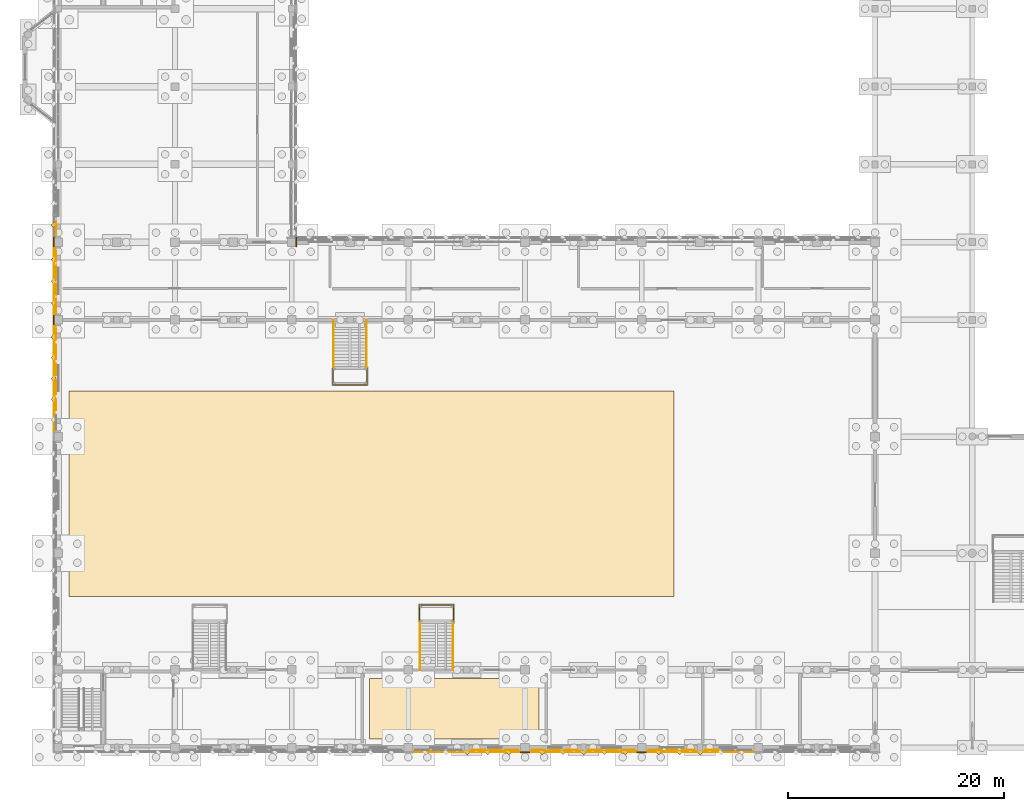
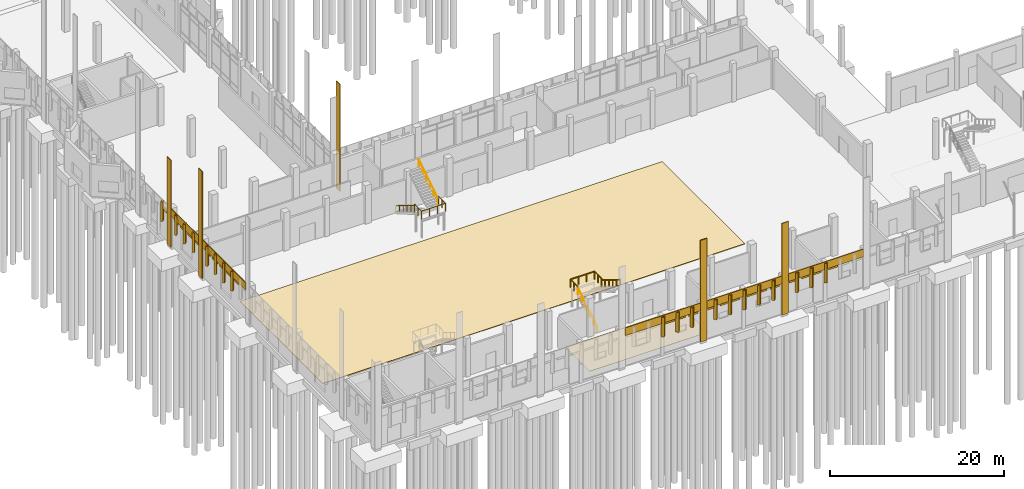
# One storey, part 95 of 109: 54 coverings, 6 railings.
"""IFC4 building model written with IfcOpenShell, lengths in metres."""

from ifc_helpers import new_model, si_unit, direction, frame, origin, origin_2d, place, context, subcontext, project, spatial, polyline, rectangle, circle, outline, extrude, material, layer, layer_set, type_object, element, save


model = new_model("IFC4")

# Units and contexts
model_context = context("Model", 3, precision=1e-05, world=origin(), true_north=direction((0.0, 1.0)))
body_context = subcontext(model_context, "Body", "Model", "MODEL_VIEW")
ifc_project = project(units=[si_unit("LENGTHUNIT", "METRE"), si_unit("AREAUNIT", "SQUARE_METRE"), si_unit("VOLUMEUNIT", "CUBIC_METRE"), si_unit("PLANEANGLEUNIT", "RADIAN"), si_unit("MASSUNIT", "GRAM", prefix="KILO")], contexts=[model_context])

# Site, building, storey
site_placement = place(None, origin())
site = spatial("IfcSite", under=ifc_project, at=site_placement, CompositionType="ELEMENT")
building_placement = place(site_placement, origin())
building = spatial("IfcBuilding", under=site, at=building_placement, Name="Lusvemor Sports Hall", CompositionType="ELEMENT")
storey_placement = place(building_placement, origin())
storey = spatial("IfcBuildingStorey", under=building, at=storey_placement, Name="L00", CompositionType="ELEMENT", Elevation=0.0)

# Coverings
ifc_material_1 = material(Name="Precast granite-faced Concrete C40/50 architectural cladding", Category="masonry")
ifc_layer_1 = layer(ifc_material_1, 0.055908203125)
ifc_layer_set_1 = layer_set([ifc_layer_1], Name="Precast granite-faced Concrete C40/50 architectural cladding")
covering_type_1 = type_object("IfcCoveringType", Name="CLAD_RELIEF_FRIEZE", PredefinedType="CLADDING", material=ifc_layer_set_1)
covering_1_placement = place(storey_placement, frame((43.199951171875, -0.409912109375, 0.0), z_axis=(0.0, 0.0, 1.0), x_axis=(1.0, 0.0, 0.0)))
element("IfcCovering", 1, at=covering_1_placement, inside=storey, type_object=covering_type_1, Name="Art Nouveau Pilaster Cladding Casing 5", PredefinedType="CLADDING", context=body_context, shape_type="SweptSolid", body=[
    extrude(rectangle(XDim=0.8798828125, YDim=0.10009765625, at=origin_2d()), origin(), (0.0, 0.0, 1.0), 14.24951171875),
])
covering_2_placement = place(storey_placement, frame((54.0, -0.409912109375, 0.0), z_axis=(0.0, 0.0, 1.0), x_axis=(1.0, 0.0, 0.0)))
element("IfcCovering", 2, at=covering_2_placement, inside=storey, type_object=covering_type_1, Name="Art Nouveau Pilaster Cladding Casing 6", PredefinedType="CLADDING", context=body_context, shape_type="SweptSolid", body=[
    extrude(rectangle(XDim=0.8798828125, YDim=0.10009765625, at=origin_2d()), origin(), (0.0, 0.0, 1.0), 12.844970703125),
])
covering_3_placement = place(storey_placement, frame((-0.409912109375, 39.60009765625, 0.0), z_axis=(0.0, 0.0, 1.0), x_axis=(1.0, 0.0, 0.0)))
element("IfcCovering", 3, at=covering_3_placement, inside=storey, type_object=covering_type_1, Name="Art Nouveau Pilaster Cladding Casing 899", PredefinedType="CLADDING", context=body_context, shape_type="SweptSolid", body=[
    extrude(rectangle(XDim=0.10009765625, YDim=0.8798828125, at=origin_2d()), origin(), (0.0, 0.0, 1.0), 15.0),
])
covering_4_placement = place(storey_placement, frame((-0.409912109375, 46.800048828125, 0.0), z_axis=(0.0, 0.0, 1.0), x_axis=(1.0, 0.0, 0.0)))
element("IfcCovering", 4, at=covering_4_placement, inside=storey, type_object=covering_type_1, Name="Art Nouveau Pilaster Cladding Casing 900", PredefinedType="CLADDING", context=body_context, shape_type="SweptSolid", body=[
    extrude(rectangle(XDim=0.10009765625, YDim=0.8798828125, at=origin_2d()), origin(), (0.0, 0.0, 1.0), 12.219970703125),
])
covering_5_placement = place(storey_placement, frame((22.010009765625, 46.800048828125, 0.0), z_axis=(0.0, 0.0, 1.0), x_axis=(1.0, 0.0, 0.0)))
element("IfcCovering", 5, at=covering_5_placement, inside=storey, type_object=covering_type_1, Name="Art Nouveau Pilaster Cladding Casing 1379", PredefinedType="CLADDING", context=body_context, shape_type="SweptSolid", body=[
    extrude(rectangle(XDim=0.10009765625, YDim=0.8798828125, at=origin_2d()), origin(), (0.0, 0.0, 1.0), 15.0),
])
ifc_material_2 = material(Name="Emerald polychrome glazed ceramic cladding on Concrete C40/50 backing", Category="concrete")
ifc_layer_2 = layer(ifc_material_2, 0.0458984375)
ifc_layer_set_2 = layer_set([ifc_layer_2], Name="Emerald polychrome glazed ceramic cladding on Concrete C40/50 backing")
covering_type_2 = type_object("IfcCoveringType", Name="CLAD_WAVE_EMERALD", PredefinedType="CLADDING", material=ifc_layer_set_2)
for number, where, z_axis, x_axis, name in (
    (6, (38.889892578125, -0.218017578125, 3.97998046875), (0.0, 0.0, 1.0), (1.0, 0.0, 0.0), "Art Nouveau Patterned Cladding PS-V1S0-3-2-1"),
    (7, (41.929931640625, -0.218017578125, 3.97998046875), (0.0, 0.0, 1.0), (1.0, 0.0, 0.0), "Art Nouveau Patterned Cladding PS-V1S0-3-2-3"),
    (8, (44.469970703125, -0.218017578125, 3.97998046875), (0.0, 0.0, 1.0), (1.0, 0.0, 0.0), "Art Nouveau Patterned Cladding PS-V1S0-4-1-1"),
    (9, (47.510009765625, -0.218017578125, 3.97998046875), (0.0, 0.0, 1.0), (1.0, 0.0, 0.0), "Art Nouveau Patterned Cladding PS-V1S0-4-1-3"),
    (10, (49.68994140625, -0.218017578125, 3.97998046875), (0.0, 0.0, 1.0), (1.0, 0.0, 0.0), "Art Nouveau Patterned Cladding PS-V1S0-4-2-1"),
    (11, (52.72998046875, -0.218017578125, 3.97998046875), (0.0, 0.0, 1.0), (1.0, 0.0, 0.0), "Art Nouveau Patterned Cladding PS-V1S0-4-2-3"),
    (12, (55.27001953125, -0.218017578125, 3.97998046875), (0.0, 0.0, 1.0), (1.0, 0.0, 0.0), "Art Nouveau Patterned Cladding PS-V1S0-5-1-1"),
    (13, (58.31005859375, -0.218017578125, 3.97998046875), (0.0, 0.0, 1.0), (1.0, 0.0, 0.0), "Art Nouveau Patterned Cladding PS-V1S0-5-1-3"),
    (14, (60.489990234375, -0.218017578125, 3.97998046875), (0.0, 0.0, 1.0), (1.0, 0.0, 0.0), "Art Nouveau Patterned Cladding PS-V1S0-5-2-1"),
):
    element("IfcCovering", number, at=place(storey_placement, frame(where, z_axis=z_axis, x_axis=x_axis)), inside=storey, type_object=covering_type_2, Name=name, PredefinedType="CLADDING", context=body_context, shape_type="SweptSolid", body=[
        extrude(rectangle(XDim=1.246337890625, YDim=0.0458984375, at=origin_2d()), origin(), (0.0, 0.0, 1.0), 0.64990234375),
    ])
for number, where, z_axis, x_axis, name in (
    (15, (-0.218017578125, 33.385009765625, 3.830078125), (0.0, 0.0, 1.0), (1.0, 0.0, 0.0), "Art Nouveau Patterned Cladding PS-V1W0-4-3"),
    (16, (-0.218017578125, 36.64501953125, 3.830078125), (0.0, 0.0, 1.0), (1.0, 0.0, 0.0), "Art Nouveau Patterned Cladding PS-V1W0-4-5"),
):
    element("IfcCovering", number, at=place(storey_placement, frame(where, z_axis=z_axis, x_axis=x_axis)), inside=storey, type_object=covering_type_2, Name=name, PredefinedType="CLADDING", context=body_context, shape_type="SweptSolid", body=[
        extrude(rectangle(XDim=0.0458984375, YDim=1.336669921875, at=origin_2d()), origin(), (0.0, 0.0, 1.0), 0.840087890625),
    ])
for number, where, z_axis, x_axis, name in (
    (17, (-0.218017578125, 40.882568359375, 3.830078125), (0.0, 0.0, 1.0), (1.0, 0.0, 0.0), "Art Nouveau Patterned Cladding PS-V1W0-5-1"),
    (18, (-0.218017578125, 43.972412109375, 3.830078125), (0.0, 0.0, 1.0), (1.0, 0.0, 0.0), "Art Nouveau Patterned Cladding PS-V1W0-5-3"),
):
    element("IfcCovering", number, at=place(storey_placement, frame(where, z_axis=z_axis, x_axis=x_axis)), inside=storey, type_object=covering_type_2, Name=name, PredefinedType="CLADDING", context=body_context, shape_type="SweptSolid", body=[
        extrude(rectangle(XDim=0.0458984375, YDim=1.266845703125, at=origin_2d()), origin(), (0.0, 0.0, 1.0), 0.840087890625),
    ])
covering_6_placement = place(storey_placement, frame((-0.218017578125, 48.074951171875, 3.9248046875), z_axis=(0.0, 0.0, 1.0), x_axis=(1.0, 0.0, 0.0)))
element("IfcCovering", 19, at=covering_6_placement, inside=storey, type_object=covering_type_2, Name="Art Nouveau Patterned Cladding PS-EW-L00-W-0-0-1", PredefinedType="CLADDING", context=body_context, shape_type="SweptSolid", body=[
    extrude(rectangle(XDim=0.0458984375, YDim=1.27099609375, at=origin_2d()), origin(), (0.0, 0.0, 1.0), 0.510009765625),
])
for number, where, z_axis, x_axis, name in (
    (20, (39.719970703125, -0.43994140625, 2.550048828125), (0.0, 0.0, 1.0), (0.707106781187, 0.707106781187, 0.0), "Patterned Diamond Cladding Rib 67"),
    (21, (46.679931640625, -0.43994140625, 2.550048828125), (0.0, 0.0, 1.0), (0.707106781187, 0.707106781187, 0.0), "Patterned Diamond Cladding Rib 83"),
    (22, (50.52001953125, -0.43994140625, 2.550048828125), (0.0, 0.0, 1.0), (0.707106781187, 0.707106781187, 0.0), "Patterned Diamond Cladding Rib 85"),
    (23, (57.47998046875, -0.43994140625, 2.550048828125), (0.0, 0.0, 1.0), (0.707106781187, 0.707106781187, 0.0), "Patterned Diamond Cladding Rib 101"),
):
    element("IfcCovering", number, at=place(storey_placement, frame(where, z_axis=z_axis, x_axis=x_axis)), inside=storey, type_object=covering_type_2, Name=name, PredefinedType="CLADDING", context=body_context, shape_type="SweptSolid", body=[
        extrude(rectangle(XDim=0.280029296875, YDim=0.3798828125, at=origin_2d()), origin(), (0.0, 0.0, 1.0), 2.75),
    ])
for number, where, z_axis, x_axis, name in (
    (24, (-0.43994140625, 32.280029296875, 2.550048828125), (0.0, 0.0, 1.0), (0.707106781187, 0.707106781187, 0.0), "Patterned Diamond Cladding Rib 951"),
    (25, (-0.43994140625, 36.1201171875, 2.550048828125), (0.0, 0.0, 1.0), (0.707106781187, 0.707106781187, 0.0), "Patterned Diamond Cladding Rib 953"),
    (26, (-0.43994140625, 43.199951171875, 2.550048828125), (0.0, 0.0, 1.0), (0.707106781187, 0.707106781187, 0.0), "Patterned Diamond Cladding Rib 969"),
):
    element("IfcCovering", number, at=place(storey_placement, frame(where, z_axis=z_axis, x_axis=x_axis)), inside=storey, type_object=covering_type_2, Name=name, PredefinedType="CLADDING", context=body_context, shape_type="SweptSolid", body=[
        extrude(rectangle(XDim=0.3798828125, YDim=0.280029296875, at=origin_2d()), origin(), (0.0, 0.0, 1.0), 2.75),
    ])
ifc_material_3 = material(Name="Warm terracotta Art Nouveau ceramic cladding on Concrete C40/50 backing", Category="masonry")
ifc_layer_3 = layer(ifc_material_3, 0.0380859375)
ifc_layer_set_3 = layer_set([ifc_layer_3], Name="Warm terracotta Art Nouveau ceramic cladding on Concrete C40/50 backing")
covering_type_3 = type_object("IfcCoveringType", Name="CLAD_WAVE_OCHRE", PredefinedType="CLADDING", material=ifc_layer_set_3)
for number, where, z_axis, x_axis, name in (
    (27, (40.409912109375, -0.214111328125, 3.97998046875), (0.0, 0.0, 1.0), (1.0, 0.0, 0.0), "Art Nouveau Patterned Cladding PS-V1S0-3-2-2"),
    (28, (45.989990234375, -0.214111328125, 3.97998046875), (0.0, 0.0, 1.0), (1.0, 0.0, 0.0), "Art Nouveau Patterned Cladding PS-V1S0-4-1-2"),
    (29, (51.2099609375, -0.214111328125, 3.97998046875), (0.0, 0.0, 1.0), (1.0, 0.0, 0.0), "Art Nouveau Patterned Cladding PS-V1S0-4-2-2"),
    (30, (56.7900390625, -0.214111328125, 3.97998046875), (0.0, 0.0, 1.0), (1.0, 0.0, 0.0), "Art Nouveau Patterned Cladding PS-V1S0-5-1-2"),
):
    element("IfcCovering", number, at=place(storey_placement, frame(where, z_axis=z_axis, x_axis=x_axis)), inside=storey, type_object=covering_type_3, Name=name, PredefinedType="CLADDING", context=body_context, shape_type="SweptSolid", body=[
        extrude(rectangle(XDim=0.972900390625, YDim=0.0380859375, at=origin_2d()), origin(), (0.0, 0.0, 1.0), 0.64990234375),
    ])
for number, where, z_axis, x_axis, name in (
    (31, (-0.214111328125, 31.7548828125, 3.830078125), (0.0, 0.0, 1.0), (1.0, 0.0, 0.0), "Art Nouveau Patterned Cladding PS-V1W0-4-2"),
    (32, (-0.214111328125, 35.014892578125, 3.830078125), (0.0, 0.0, 1.0), (1.0, 0.0, 0.0), "Art Nouveau Patterned Cladding PS-V1W0-4-4"),
    (33, (-0.214111328125, 38.27490234375, 3.830078125), (0.0, 0.0, 1.0), (1.0, 0.0, 0.0), "Art Nouveau Patterned Cladding PS-V1W0-4-6"),
):
    element("IfcCovering", number, at=place(storey_placement, frame(where, z_axis=z_axis, x_axis=x_axis)), inside=storey, type_object=covering_type_3, Name=name, PredefinedType="CLADDING", context=body_context, shape_type="SweptSolid", body=[
        extrude(rectangle(XDim=0.0380859375, YDim=1.043212890625, at=origin_2d()), origin(), (0.0, 0.0, 1.0), 0.840087890625),
    ])
for number, where, z_axis, x_axis, name in (
    (34, (-0.214111328125, 42.427490234375, 3.830078125), (0.0, 0.0, 1.0), (1.0, 0.0, 0.0), "Art Nouveau Patterned Cladding PS-V1W0-5-2"),
    (35, (-0.214111328125, 45.517578125, 3.830078125), (0.0, 0.0, 1.0), (1.0, 0.0, 0.0), "Art Nouveau Patterned Cladding PS-V1W0-5-4"),
):
    element("IfcCovering", number, at=place(storey_placement, frame(where, z_axis=z_axis, x_axis=x_axis)), inside=storey, type_object=covering_type_3, Name=name, PredefinedType="CLADDING", context=body_context, shape_type="SweptSolid", body=[
        extrude(rectangle(XDim=0.0380859375, YDim=0.98876953125, at=origin_2d()), origin(), (0.0, 0.0, 1.0), 0.840087890625),
    ])
for number, where, z_axis, x_axis, name in (
    (36, (37.800048828125, -0.389892578125, 4.3798828125), (0.0, 0.0, 1.0), (1.0, 0.0, 0.0), "Art Nouveau Spandrel Cornice 63"),
    (37, (48.60009765625, -0.389892578125, 4.3798828125), (0.0, 0.0, 1.0), (1.0, 0.0, 0.0), "Art Nouveau Spandrel Cornice 81"),
    (38, (59.39990234375, -0.389892578125, 4.3798828125), (0.0, 0.0, 1.0), (1.0, 0.0, 0.0), "Art Nouveau Spandrel Cornice 99"),
):
    element("IfcCovering", number, at=place(storey_placement, frame(where, z_axis=z_axis, x_axis=x_axis)), inside=storey, type_object=covering_type_3, Name=name, PredefinedType="CLADDING", context=body_context, shape_type="SweptSolid", body=[
        extrude(rectangle(XDim=9.97998046875, YDim=0.090087890625, at=origin_2d()), origin(), (0.0, 0.0, 1.0), 1.080078125),
    ])
covering_7_placement = place(storey_placement, frame((-0.389892578125, 34.199951171875, 4.3798828125), z_axis=(0.0, 0.0, 1.0), x_axis=(1.0, 0.0, 0.0)))
element("IfcCovering", 39, at=covering_7_placement, inside=storey, type_object=covering_type_3, Name="Art Nouveau Spandrel Cornice 949", PredefinedType="CLADDING", context=body_context, shape_type="SweptSolid", body=[
    extrude(rectangle(XDim=0.090087890625, YDim=9.97998046875, at=origin_2d()), origin(), (0.0, 0.0, 1.0), 1.080078125),
])
covering_8_placement = place(storey_placement, frame((-0.389892578125, 43.199951171875, 4.3798828125), z_axis=(0.0, 0.0, 1.0), x_axis=(1.0, 0.0, 0.0)))
element("IfcCovering", 40, at=covering_8_placement, inside=storey, type_object=covering_type_3, Name="Art Nouveau Spandrel Cornice 967", PredefinedType="CLADDING", context=body_context, shape_type="SweptSolid", body=[
    extrude(rectangle(XDim=0.090087890625, YDim=6.3798828125, at=origin_2d()), origin(), (0.0, 0.0, 1.0), 1.080078125),
])
ifc_material_4 = material(Name="FIBA-grade sprung maple sports flooring")
ifc_layer_4 = layer(ifc_material_4, 0.06591796875)
ifc_layer_set_4 = layer_set([ifc_layer_4], Name="FIBA-grade sprung maple sports flooring")
covering_type_4 = type_object("IfcCoveringType", Name="COV_SPRUNG_MAPLE", PredefinedType="FLOORING", material=ifc_layer_set_4)
covering_9_placement = place(storey_placement, origin())
element("IfcCovering", 41, at=covering_9_placement, inside=storey, type_object=covering_type_4, Name="Sprung Maple Flooring COV-MAPLE-COURT1", PredefinedType="FLOORING", context=body_context, shape_type="SweptSolid", body=[
    extrude(outline(polyline([(1.0, 14.0), (57.0, 14.0), (57.0, 33.0), (1.0, 33.0), (1.0, 14.0)])), origin(), (0.0, 0.0, 1.0), 0.06591796875),
])
ifc_material_5 = material(Name="Slip-resistant porcelain ceramic tile flooring")
ifc_layer_5 = layer(ifc_material_5, 0.030029296875)
ifc_layer_set_5 = layer_set([ifc_layer_5], Name="Slip-resistant porcelain ceramic tile flooring")
covering_type_5 = type_object("IfcCoveringType", Name="COV_TILE_PORC", PredefinedType="FLOORING", material=ifc_layer_set_5)
covering_10_placement = place(storey_placement, origin())
element("IfcCovering", 42, at=covering_10_placement, inside=storey, type_object=covering_type_5, Name="Porcelain Wet-Area Flooring 2", PredefinedType="FLOORING", context=body_context, shape_type="SweptSolid", body=[
    extrude(outline(polyline([(28.800048828125, 0.800048828125), (44.5, 0.800048828125), (44.5, 6.39990234375), (28.800048828125, 6.39990234375), (28.800048828125, 0.800048828125)])), origin(), (0.0, 0.0, 1.0), 0.030029296875),
])
ifc_material_6 = material(Name="Warm terracotta Art Nouveau ceramic cladding on Concrete C40/50 backing", Category="masonry")
ifc_layer_6 = layer(ifc_material_6, 0.449951171875)
ifc_layer_set_6 = layer_set([ifc_layer_6], Name="Warm terracotta Art Nouveau ceramic cladding on Concrete C40/50 backing")
covering_type_6 = type_object("IfcCoveringType", Name="FIN_BRISE_CER_450", PredefinedType="MOLDING", material=ifc_layer_set_6)
for number, where, z_axis, x_axis, name in (
    (43, (37.800048828125, -0.43994140625, 2.550048828125), (0.0, 0.0, 1.0), (0.707106781187, 0.707106781187, 0.0), "Patterned Diamond Cladding Rib 66"),
    (44, (41.639892578125, -0.43994140625, 2.550048828125), (0.0, 0.0, 1.0), (0.707106781187, 0.707106781187, 0.0), "Patterned Diamond Cladding Rib 68"),
    (45, (44.760009765625, -0.43994140625, 2.550048828125), (0.0, 0.0, 1.0), (0.707106781187, 0.707106781187, 0.0), "Patterned Diamond Cladding Rib 82"),
    (46, (48.60009765625, -0.43994140625, 2.550048828125), (0.0, 0.0, 1.0), (0.707106781187, 0.707106781187, 0.0), "Patterned Diamond Cladding Rib 84"),
    (47, (52.43994140625, -0.43994140625, 2.550048828125), (0.0, 0.0, 1.0), (0.707106781187, 0.707106781187, 0.0), "Patterned Diamond Cladding Rib 86"),
    (48, (55.56005859375, -0.43994140625, 2.550048828125), (0.0, 0.0, 1.0), (0.707106781187, 0.707106781187, 0.0), "Patterned Diamond Cladding Rib 100"),
    (49, (59.39990234375, -0.43994140625, 2.550048828125), (0.0, 0.0, 1.0), (0.707106781187, 0.707106781187, 0.0), "Patterned Diamond Cladding Rib 102"),
):
    element("IfcCovering", number, at=place(storey_placement, frame(where, z_axis=z_axis, x_axis=x_axis)), inside=storey, type_object=covering_type_6, Name=name, PredefinedType="MOLDING", context=body_context, shape_type="SweptSolid", body=[
        extrude(rectangle(XDim=0.280029296875, YDim=0.3798828125, at=origin_2d()), origin(), (0.0, 0.0, 1.0), 2.75),
    ])
for number, where, z_axis, x_axis, name in (
    (50, (-0.43994140625, 34.199951171875, 2.550048828125), (0.0, 0.0, 1.0), (0.707106781187, 0.707106781187, 0.0), "Patterned Diamond Cladding Rib 952"),
    (51, (-0.43994140625, 38.0400390625, 2.550048828125), (0.0, 0.0, 1.0), (0.707106781187, 0.707106781187, 0.0), "Patterned Diamond Cladding Rib 954"),
    (52, (-0.43994140625, 41.199951171875, 2.550048828125), (0.0, 0.0, 1.0), (0.707106781187, 0.707106781187, 0.0), "Patterned Diamond Cladding Rib 968"),
    (53, (-0.43994140625, 45.199951171875, 2.550048828125), (0.0, 0.0, 1.0), (0.707106781187, 0.707106781187, 0.0), "Patterned Diamond Cladding Rib 970"),
    (54, (-0.43994140625, 48.39990234375, 2.550048828125), (0.0, 0.0, 1.0), (0.707106781187, 0.707106781187, 0.0), "Patterned Diamond Cladding Rib 986"),
):
    element("IfcCovering", number, at=place(storey_placement, frame(where, z_axis=z_axis, x_axis=x_axis)), inside=storey, type_object=covering_type_6, Name=name, PredefinedType="MOLDING", context=body_context, shape_type="SweptSolid", body=[
        extrude(rectangle(XDim=0.3798828125, YDim=0.280029296875, at=origin_2d()), origin(), (0.0, 0.0, 1.0), 2.75),
    ])

# Railings
ifc_material_7 = material(Name="Bronze-finished wrought-steel Art Nouveau balustrade", Category="steel")
railing_type_1 = type_object("IfcRailingType", Name="RAIL_HANDRAIL_092", PredefinedType="HANDRAIL", material=ifc_material_7)
railing_1_placement = place(storey_placement, frame((33.4599609375, 7.199951171875, 0.0)))
element("IfcRailing", 55, at=railing_1_placement, inside=storey, type_object=railing_type_1, Name="STR-V1-GAL-E Handrail F1", PredefinedType="HANDRAIL", context=body_context, shape_type="SweptSolid", body=[
    extrude(circle(Radius=0.02392578125, at=origin_2d()), frame((0.0, 0.0, 0.89599609375), z_axis=(0.0, 0.849649743971, 0.527347430608), x_axis=(-1.0, 0.0, 0.0)), (0.0, 0.0, 1.0), 5.119873046875),
    extrude(circle(Radius=0.02099609375, at=origin_2d()), origin(), (0.0, 0.0, 1.0), 0.871826171875),
    extrude(circle(Radius=0.02099609375, at=origin_2d()), frame((0.0, 0.8701171875, 0.5400390625)), (0.0, 0.0, 1.0), 0.871826171875),
    extrude(circle(Radius=0.02099609375, at=origin_2d()), frame((0.0, 1.739990234375, 1.080078125)), (0.0, 0.0, 1.0), 0.871826171875),
    extrude(circle(Radius=0.02099609375, at=origin_2d()), frame((0.0, 2.610107421875, 1.619873046875)), (0.0, 0.0, 1.0), 0.871826171875),
    extrude(circle(Radius=0.02099609375, at=origin_2d()), frame((0.0, 3.47998046875, 2.159912109375)), (0.0, 0.0, 1.0), 0.871826171875),
    extrude(circle(Radius=0.02099609375, at=origin_2d()), frame((0.0, 4.35009765625, 2.699951171875)), (0.0, 0.0, 1.0), 0.871826171875),
])
for number, where, name in (
    (56, (36.5400390625, 11.550048828125, 2.699951171875), "STR-V1-GAL-E Handrail F2"),
    (57, (25.4599609375, 39.60009765625, 0.0), "STR-V1N-GAL Handrail F1"),
):
    element("IfcRailing", number, at=place(storey_placement, frame(where)), inside=storey, type_object=railing_type_1, Name=name, PredefinedType="HANDRAIL", context=body_context, shape_type="SweptSolid", body=[
        extrude(circle(Radius=0.02392578125, at=origin_2d()), frame((0.0, 0.0, 0.89599609375), z_axis=(0.0, -0.849649743971, 0.527347430608), x_axis=(1.0, 0.0, 0.0)), (0.0, 0.0, 1.0), 5.119873046875),
        extrude(circle(Radius=0.02099609375, at=origin_2d()), origin(), (0.0, 0.0, 1.0), 0.871826171875),
        extrude(circle(Radius=0.02099609375, at=origin_2d()), frame((0.0, -0.8701171875, 0.5400390625)), (0.0, 0.0, 1.0), 0.871826171875),
        extrude(circle(Radius=0.02099609375, at=origin_2d()), frame((0.0, -1.739990234375, 1.080078125)), (0.0, 0.0, 1.0), 0.871826171875),
        extrude(circle(Radius=0.02099609375, at=origin_2d()), frame((0.0, -2.610107421875, 1.619873046875)), (0.0, 0.0, 1.0), 0.871826171875),
        extrude(circle(Radius=0.02099609375, at=origin_2d()), frame((0.0, -3.47998046875, 2.159912109375)), (0.0, 0.0, 1.0), 0.871826171875),
        extrude(circle(Radius=0.02099609375, at=origin_2d()), frame((0.0, -4.35009765625, 2.699951171875)), (0.0, 0.0, 1.0), 0.871826171875),
    ])
railing_2_placement = place(storey_placement, frame((28.5400390625, 35.25, 2.699951171875)))
element("IfcRailing", 58, at=railing_2_placement, inside=storey, type_object=railing_type_1, Name="STR-V1N-GAL Handrail F2", PredefinedType="HANDRAIL", context=body_context, shape_type="SweptSolid", body=[
    extrude(circle(Radius=0.02392578125, at=origin_2d()), frame((0.0, 0.0, 0.89599609375), z_axis=(0.0, 0.849649743971, 0.527347430608), x_axis=(-1.0, 0.0, 0.0)), (0.0, 0.0, 1.0), 5.119873046875),
    extrude(circle(Radius=0.02099609375, at=origin_2d()), origin(), (0.0, 0.0, 1.0), 0.871826171875),
    extrude(circle(Radius=0.02099609375, at=origin_2d()), frame((0.0, 0.8701171875, 0.5400390625)), (0.0, 0.0, 1.0), 0.871826171875),
    extrude(circle(Radius=0.02099609375, at=origin_2d()), frame((0.0, 1.739990234375, 1.080078125)), (0.0, 0.0, 1.0), 0.871826171875),
    extrude(circle(Radius=0.02099609375, at=origin_2d()), frame((0.0, 2.610107421875, 1.619873046875)), (0.0, 0.0, 1.0), 0.871826171875),
    extrude(circle(Radius=0.02099609375, at=origin_2d()), frame((0.0, 3.47998046875, 2.159912109375)), (0.0, 0.0, 1.0), 0.871826171875),
    extrude(circle(Radius=0.02099609375, at=origin_2d()), frame((0.0, 4.35009765625, 2.699951171875)), (0.0, 0.0, 1.0), 0.871826171875),
])
ifc_material_8 = material(Name="Bronze-finished wrought-steel Art Nouveau balustrade", Category="steel")
railing_type_2 = type_object("IfcRailingType", Name="RAIL_STAIR_GUARD_112", PredefinedType="GUARDRAIL", material=ifc_material_8)
railing_3_placement = place(storey_placement, frame((33.409912109375, 11.590087890625, 2.699951171875)))
element("IfcRailing", 59, at=railing_3_placement, inside=storey, type_object=railing_type_2, Name="STR-V1-GAL-E Mid Guard", PredefinedType="GUARDRAIL", context=body_context, shape_type="SweptSolid", body=[
    extrude(circle(Radius=0.02392578125, at=origin_2d()), frame((0.0, 0.0, 1.09619140625), z_axis=(0.0, 1.0, 0.0), x_axis=(-1.0, 0.0, 0.0)), (0.0, 0.0, 1.0), 1.619873046875),
    extrude(circle(Radius=0.02392578125, at=origin_2d()), frame((0.0, 1.619873046875, 1.09619140625), z_axis=(1.0, 0.0, 0.0), x_axis=(0.0, 1.0, 0.0)), (0.0, 0.0, 1.0), 3.18017578125),
    extrude(circle(Radius=0.02392578125, at=origin_2d()), frame((3.18017578125, 1.619873046875, 1.09619140625), z_axis=(0.0, -1.0, 0.0), x_axis=(1.0, 0.0, 0.0)), (0.0, 0.0, 1.0), 1.619873046875),
    extrude(circle(Radius=0.02099609375, at=origin_2d()), origin(), (0.0, 0.0, 1.0), 1.072021484375),
    extrude(circle(Radius=0.02099609375, at=origin_2d()), frame((0.0, 0.81005859375, 0.0)), (0.0, 0.0, 1.0), 1.072021484375),
    extrude(circle(Radius=0.02099609375, at=origin_2d()), frame((0.0, 1.619873046875, 0.0)), (0.0, 0.0, 1.0), 1.072021484375),
    extrude(circle(Radius=0.02099609375, at=origin_2d()), frame((1.06005859375, 1.619873046875, 0.0)), (0.0, 0.0, 1.0), 1.072021484375),
    extrude(circle(Radius=0.02099609375, at=origin_2d()), frame((2.1201171875, 1.619873046875, 0.0)), (0.0, 0.0, 1.0), 1.072021484375),
    extrude(circle(Radius=0.02099609375, at=origin_2d()), frame((3.18017578125, 1.619873046875, 0.0)), (0.0, 0.0, 1.0), 1.072021484375),
    extrude(circle(Radius=0.02099609375, at=origin_2d()), frame((3.18017578125, 0.81005859375, 0.0)), (0.0, 0.0, 1.0), 1.072021484375),
    extrude(circle(Radius=0.02099609375, at=origin_2d()), frame((3.18017578125, 0.0, 0.0)), (0.0, 0.0, 1.0), 1.072021484375),
])
railing_4_placement = place(storey_placement, frame((25.409912109375, 35.2099609375, 2.699951171875)))
element("IfcRailing", 60, at=railing_4_placement, inside=storey, type_object=railing_type_2, Name="STR-V1N-GAL Mid Guard", PredefinedType="GUARDRAIL", context=body_context, shape_type="SweptSolid", body=[
    extrude(circle(Radius=0.02392578125, at=origin_2d()), frame((0.0, 0.0, 1.09619140625), z_axis=(0.0, -1.0, 0.0), x_axis=(1.0, 0.0, 0.0)), (0.0, 0.0, 1.0), 1.619873046875),
    extrude(circle(Radius=0.02392578125, at=origin_2d()), frame((0.0, -1.619873046875, 1.09619140625), z_axis=(1.0, 0.0, 0.0), x_axis=(0.0, 1.0, 0.0)), (0.0, 0.0, 1.0), 3.18017578125),
    extrude(circle(Radius=0.02392578125, at=origin_2d()), frame((3.18017578125, -1.619873046875, 1.09619140625), z_axis=(0.0, 1.0, 0.0), x_axis=(-1.0, 0.0, 0.0)), (0.0, 0.0, 1.0), 1.619873046875),
    extrude(circle(Radius=0.02099609375, at=origin_2d()), origin(), (0.0, 0.0, 1.0), 1.072021484375),
    extrude(circle(Radius=0.02099609375, at=origin_2d()), frame((0.0, -0.81005859375, 0.0)), (0.0, 0.0, 1.0), 1.072021484375),
    extrude(circle(Radius=0.02099609375, at=origin_2d()), frame((0.0, -1.619873046875, 0.0)), (0.0, 0.0, 1.0), 1.072021484375),
    extrude(circle(Radius=0.02099609375, at=origin_2d()), frame((1.06005859375, -1.619873046875, 0.0)), (0.0, 0.0, 1.0), 1.072021484375),
    extrude(circle(Radius=0.02099609375, at=origin_2d()), frame((2.1201171875, -1.619873046875, 0.0)), (0.0, 0.0, 1.0), 1.072021484375),
    extrude(circle(Radius=0.02099609375, at=origin_2d()), frame((3.18017578125, -1.619873046875, 0.0)), (0.0, 0.0, 1.0), 1.072021484375),
    extrude(circle(Radius=0.02099609375, at=origin_2d()), frame((3.18017578125, -0.81005859375, 0.0)), (0.0, 0.0, 1.0), 1.072021484375),
    extrude(circle(Radius=0.02099609375, at=origin_2d()), frame((3.18017578125, 0.0, 0.0)), (0.0, 0.0, 1.0), 1.072021484375),
])

save(model, "model.ifc")
